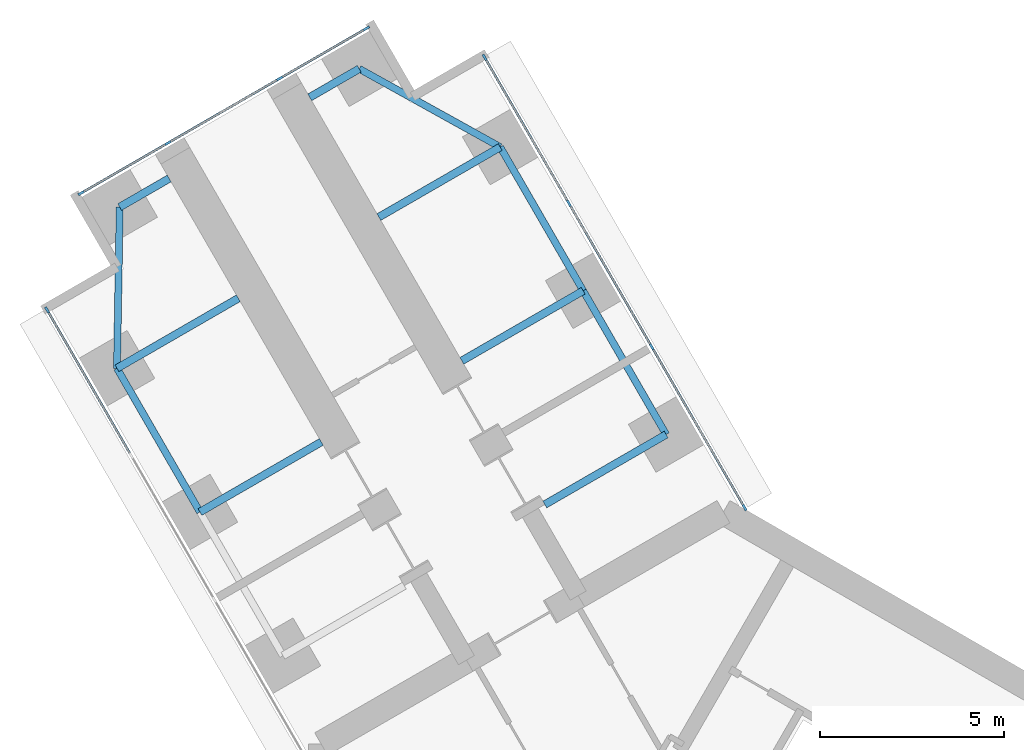
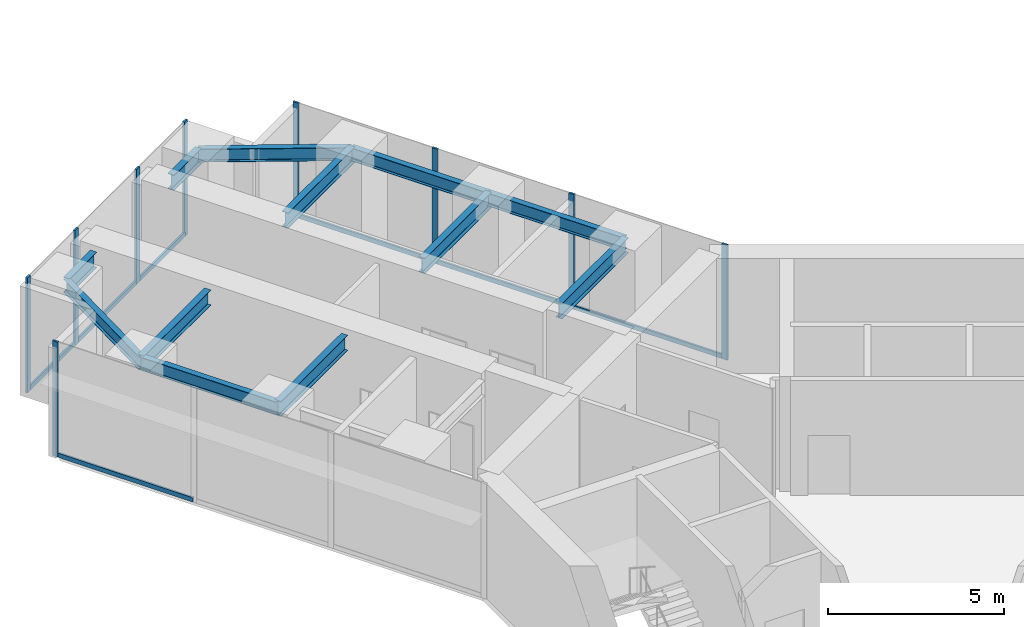
# One storey, part 7 of 23: 16 members, 12 beams, 3 elements without a shape of their own.
"""IFC4 building model written with IfcOpenShell, lengths in metres."""

import ifcopenshell
import ifcopenshell.guid

model = None  # the IFC model being written
_history = None  # IfcOwnerHistory: only IFC2X3 demands one
_inside = {}  # id of a spatial element -> (the spatial element, [elements in it])
_under = {}  # id of a project, library or spatial element -> (it, [spatial elements below it])
_declared = {}  # id of a project -> (the project, [libraries it declares])
_typed = {}  # id of a type object -> (the type object, [elements of that type])
_made_of = {}  # id of a material, layer set ... -> (it, [elements and type objects made of it])


def new_model(schema):
    """Start an empty IFC model of exactly this schema.

    Asked for "IFC4X3", IfcOpenShell would pick the latest addendum, in which some entities
    have other attributes; the version numbers below select the first issue.
    IFC2X3 requires an IfcOwnerHistory on every rooted entity: one is made here for all.
    """
    global model, _history
    if schema == "IFC4X3":
        model = ifcopenshell.file(schema_version=(4, 3, 0, 0))
    else:
        model = ifcopenshell.file(schema=schema)
    _inside.clear()
    _under.clear()
    _declared.clear()
    _typed.clear()
    _made_of.clear()
    _history = None
    if model.schema == "IFC2X3":
        org = make("IfcOrganization", Name="unknown")
        user = make(
            "IfcPersonAndOrganization",
            ThePerson=make("IfcPerson", FamilyName="unknown"),
            TheOrganization=org,
        )
        app = make(
            "IfcApplication",
            ApplicationDeveloper=org,
            Version="unknown",
            ApplicationFullName="unknown",
            ApplicationIdentifier="unknown",
        )
        _history = make(
            "IfcOwnerHistory",
            OwningUser=user,
            OwningApplication=app,
            ChangeAction="ADDED",
            CreationDate=0,
        )
    return model


def make(cls, **values):
    """One entity of the class cls with the attributes given. An attribute that is None is left unset."""
    return model.create_entity(
        cls, **{name: value for name, value in values.items() if value is not None}
    )


def rooted(cls, **values):
    """An entity with a GlobalId (a new one), such as an element, a storey or a relation."""
    return make(cls, GlobalId=ifcopenshell.guid.new(), OwnerHistory=_history, **values)


def si_unit(unit_type, name, prefix=None):
    """IfcSIUnit, for example si_unit("LENGTHUNIT", "METRE", prefix="MILLI")."""
    return make("IfcSIUnit", UnitType=unit_type, Prefix=prefix, Name=name)


def assignment(units):
    """IfcUnitAssignment: the units of a project."""
    return None if units is None else make("IfcUnitAssignment", Units=units)


def point(xyz):
    """IfcCartesianPoint."""
    return None if xyz is None else make("IfcCartesianPoint", Coordinates=xyz)


def direction(xyz):
    """IfcDirection."""
    return None if xyz is None else make("IfcDirection", DirectionRatios=xyz)


def frame(location, z_axis=None, x_axis=None):
    """IfcAxis2Placement3D, a coordinate frame: its origin and axes. An axis left out is left unset."""
    return make(
        "IfcAxis2Placement3D",
        Location=point(location),
        Axis=direction(z_axis),
        RefDirection=direction(x_axis),
    )


def frame_2d(location, x_axis=None):
    """IfcAxis2Placement2D, a coordinate frame in the plane: its origin and x axis."""
    return make(
        "IfcAxis2Placement2D", Location=point(location), RefDirection=direction(x_axis)
    )


def origin():
    """The frame at (0, 0, 0) with its axes left unset."""
    return frame((0.0, 0.0, 0.0))


def origin_2d():
    """The frame at (0, 0) in the plane with its x axis left unset."""
    return frame_2d((0.0, 0.0))


def place(relative_to, where):
    """IfcLocalPlacement: puts the frame where relative to a parent placement (None: the world)."""
    return make(
        "IfcLocalPlacement", PlacementRelTo=relative_to, RelativePlacement=where
    )


def context(
    kind, dimensions, precision=None, world=None, true_north=None, identifier=None
):
    """IfcGeometricRepresentationContext, for example the 3D "Model" context."""
    return make(
        "IfcGeometricRepresentationContext",
        ContextIdentifier=identifier,
        ContextType=kind,
        CoordinateSpaceDimension=dimensions,
        Precision=precision,
        WorldCoordinateSystem=world,
        TrueNorth=true_north,
    )


def subcontext(parent, identifier, kind, view, scale=None):
    """IfcGeometricRepresentationSubContext, for example "Body" below "Model"."""
    return make(
        "IfcGeometricRepresentationSubContext",
        ContextIdentifier=identifier,
        ContextType=kind,
        ParentContext=parent,
        TargetScale=scale,
        TargetView=view,
    )


def project(units=None, contexts=None):
    """IfcProject with its units and contexts."""
    return rooted(
        "IfcProject",
        Name="project",
        RepresentationContexts=contexts,
        UnitsInContext=assignment(units),
    )


def spatial(cls, under=None, at=None, **own):
    """A site, building, storey or space (cls), placed at a placement, below another one or the project."""
    s = rooted(cls, ObjectPlacement=at, **own)
    if under is not None:
        _under.setdefault(under.id(), (under, []))[1].append(s)
    return s


def profile(cls, at=None, kind="AREA", **sizes):
    """A parametric profile (cls). Its sizes go by their IFC names, for example OverallWidth=200.0."""
    return make(cls, ProfileType=kind, Position=at, **sizes)


def rectangle(**sizes):
    """IfcRectangleProfileDef."""
    return profile("IfcRectangleProfileDef", **sizes)


def i_section(**sizes):
    """IfcIShapeProfileDef."""
    return profile("IfcIShapeProfileDef", **sizes)


def extrude(swept, where, along, depth):
    """IfcExtrudedAreaSolid: the profile swept, set in the frame where, extruded along a direction by depth."""
    return make(
        "IfcExtrudedAreaSolid",
        SweptArea=swept,
        Position=where,
        ExtrudedDirection=direction(along),
        Depth=depth,
    )


def shape(context_of_items, identifier, shape_type, items):
    """IfcShapeRepresentation: the items that make up one representation, for example the "Body"."""
    return make(
        "IfcShapeRepresentation",
        ContextOfItems=context_of_items,
        RepresentationIdentifier=identifier,
        RepresentationType=shape_type,
        Items=items,
    )


def material(Name=None, Category=None):
    """IfcMaterial."""
    return make("IfcMaterial", Name=Name, Category=Category)


def material_profile(
    of_material, cross_section, Name=None, Category=None, Priority=None
):
    """IfcMaterialProfile: a cross section and its material."""
    return make(
        "IfcMaterialProfile",
        Name=Name,
        Material=of_material,
        Profile=cross_section,
        Priority=Priority,
        Category=Category,
    )


def profile_set(profiles, Name=None, composite=None):
    """IfcMaterialProfileSet."""
    return make(
        "IfcMaterialProfileSet",
        Name=Name,
        MaterialProfiles=profiles,
        CompositeProfile=composite,
    )


def made_of(thing, what):
    """Note that an element or type object is made of a material, layer set ...; save() writes the relation."""
    if what is not None:
        _made_of.setdefault(what.id(), (what, []))[1].append(thing)
    return thing


def type_object(cls, material=None, **own):
    """A type object (cls), such as IfcWallType, which elements share."""
    return made_of(rooted(cls, **own), material)


def element(
    cls,
    number,
    at=None,
    inside=None,
    cuts=None,
    type_object=None,
    material=None,
    context=None,
    identifier="Body",
    shape_type=None,
    held_by="IfcProductDefinitionShape",
    body=None,
    shapes=None,
    **own,
):
    """One element of the class cls, such as IfcWall. Its Tag is "e" and its number.

    at: its placement. inside: the storey or other place that contains it. cuts: it is an
    opening in that element (IfcRelVoidsElement). A single representation is given by context,
    identifier, shape_type and body (its items); several are given by shapes. held_by: the class
    of the entity that holds the representations. save() writes the other relations.
    """
    e = rooted(cls, Tag="e%d" % number, ObjectPlacement=at, **own)
    if body is not None:
        shapes = [shape(context, identifier, shape_type, body)]
    if shapes is not None:
        e.Representation = make(held_by, Representations=shapes)
    if inside is not None:
        _inside.setdefault(inside.id(), (inside, []))[1].append(e)
    if cuts is not None:
        rooted(
            "IfcRelVoidsElement", RelatingBuildingElement=cuts, RelatedOpeningElement=e
        )
    if type_object is not None:
        _typed.setdefault(type_object.id(), (type_object, []))[1].append(e)
    return made_of(e, material)


def aggregate(whole, parts):
    """IfcRelAggregates: a whole, such as a stair, and the parts it consists of."""
    return rooted("IfcRelAggregates", RelatingObject=whole, RelatedObjects=parts)


def save(model, path):
    """Write the relations noted so far, then the file.

    IfcRelAggregates (storeys below a building ...), IfcRelContainedInSpatialStructure (elements
    in a storey), IfcRelDefinesByType, IfcRelAssociatesMaterial and IfcRelDeclares: one each for
    every whole, place, type object, material and project.
    """
    for whole, parts in _under.values():
        aggregate(whole, parts)
    for where, things in _inside.values():
        rooted(
            "IfcRelContainedInSpatialStructure",
            RelatedElements=things,
            RelatingStructure=where,
        )
    for kind, things in _typed.values():
        rooted("IfcRelDefinesByType", RelatedObjects=things, RelatingType=kind)
    for what, things in _made_of.values():
        rooted("IfcRelAssociatesMaterial", RelatedObjects=things, RelatingMaterial=what)
    for by, libraries in _declared.values():
        rooted("IfcRelDeclares", RelatingContext=by, RelatedDefinitions=libraries)
    model.write(path)


model = new_model("IFC4")

# Units and contexts
model_context = context("Model", 3, precision=1e-05, world=origin(), true_north=direction((0.0, 1.0)))
body_context = subcontext(model_context, "Body", "Model", "MODEL_VIEW")
ifc_project = project(units=[si_unit("LENGTHUNIT", "METRE"), si_unit("AREAUNIT", "SQUARE_METRE"), si_unit("VOLUMEUNIT", "CUBIC_METRE"), si_unit("PLANEANGLEUNIT", "RADIAN"), si_unit("MASSUNIT", "GRAM", prefix="KILO")], contexts=[model_context])

# Site, building, storey
site_placement = place(None, origin())
site = spatial("IfcSite", under=ifc_project, at=site_placement, CompositionType="ELEMENT")
building_placement = place(site_placement, origin())
building = spatial("IfcBuilding", under=site, at=building_placement, Name="Upepo Twin Towers", CompositionType="ELEMENT")
storey_placement = place(building_placement, frame((0.0, 0.0, 28.5)))
storey = spatial("IfcBuildingStorey", under=building, at=storey_placement, Name="L06", CompositionType="ELEMENT", Elevation=28.5)

# Beams
ifc_material_1 = material(Name="Steel S355", Category="steel")
ifc_material_profile_1 = material_profile(ifc_material_1, i_section(OverallWidth=0.1904296875, OverallDepth=0.45703125, WebThickness=0.009033203125, FlangeThickness=0.014404296875, FilletRadius=0.01025390625, at=origin_2d()), Name="UB 457x191x74")
ifc_profile_set_1 = profile_set([ifc_material_profile_1], Name="Steel S355")
beam_type_1 = type_object("IfcBeamType", Name="Beam UB 457x191x74", PredefinedType="BEAM", material=ifc_profile_set_1)
beam_1_placement = place(storey_placement, frame((-14.196044921875, 12.58837890625, 3.571533203125), z_axis=(-0.499990139034, 0.866031096941, 0.0), x_axis=(-0.866031096941, -0.499990139034, 0.0)))
element("IfcBeam", 1, at=beam_1_placement, inside=storey, type_object=beam_type_1, Name="T1 edge beam BL 18.0-22.5", PredefinedType="BEAM", context=body_context, shape_type="SweptSolid", body=[
    extrude(i_section(OverallWidth=0.1904296875, OverallDepth=0.45703125, WebThickness=0.009033203125, FlangeThickness=0.014404296875, FilletRadius=0.01025390625, at=origin_2d()), origin(), (0.0, 0.0, 1.0), 4.5),
])
beam_2_placement = place(storey_placement, frame((-16.446044921875, 16.485595703125, 3.571533203125), z_axis=(0.016803880528, 0.999858804832, 0.0), x_axis=(-0.999858804832, 0.016803880528, 0.0)))
element("IfcBeam", 2, at=beam_2_placement, inside=storey, type_object=beam_type_1, Name="T1 nose edge beam BL", PredefinedType="BEAM", context=body_context, shape_type="SweptSolid", body=[
    extrude(i_section(OverallWidth=0.1904296875, OverallDepth=0.45703125, WebThickness=0.009033203125, FlangeThickness=0.014404296875, FilletRadius=0.01025390625, at=origin_2d()), origin(), (0.0, 0.0, 1.0), 4.373291015625),
])
beam_3_placement = place(storey_placement, frame((-1.553955078125, 14.69140625, 3.571533203125), z_axis=(-0.500013631625, 0.866017533419, 0.0), x_axis=(-0.866017533419, -0.500013631625, 0.0)))
element("IfcBeam", 3, at=beam_3_placement, inside=storey, type_object=beam_type_1, Name="T1 edge beam BR 13.5-18.0", PredefinedType="BEAM", context=body_context, shape_type="SweptSolid", body=[
    extrude(i_section(OverallWidth=0.1904296875, OverallDepth=0.45703125, WebThickness=0.009033203125, FlangeThickness=0.014404296875, FilletRadius=0.01025390625, at=origin_2d()), origin(), (0.0, 0.0, 1.0), 4.499755859375),
])
beam_4_placement = place(storey_placement, frame((-3.803955078125, 18.58837890625, 3.571533203125), z_axis=(-0.499990139034, 0.866031096941, 0.0), x_axis=(-0.866031096941, -0.499990139034, 0.0)))
element("IfcBeam", 4, at=beam_4_placement, inside=storey, type_object=beam_type_1, Name="T1 edge beam BR 18.0-22.5", PredefinedType="BEAM", context=body_context, shape_type="SweptSolid", body=[
    extrude(i_section(OverallWidth=0.1904296875, OverallDepth=0.45703125, WebThickness=0.009033203125, FlangeThickness=0.014404296875, FilletRadius=0.01025390625, at=origin_2d()), origin(), (0.0, 0.0, 1.0), 4.5),
])
beam_5_placement = place(storey_placement, frame((-6.053955078125, 22.485595703125, 3.571533203125), z_axis=(-0.874312600038, 0.485363242752, 0.0), x_axis=(-0.485363242752, -0.874312600038, 0.0)))
element("IfcBeam", 5, at=beam_5_placement, inside=storey, type_object=beam_type_1, Name="T1 nose edge beam BR", PredefinedType="BEAM", context=body_context, shape_type="SweptSolid", body=[
    extrude(i_section(OverallWidth=0.1904296875, OverallDepth=0.45703125, WebThickness=0.009033203125, FlangeThickness=0.014404296875, FilletRadius=0.01025390625, at=origin_2d()), origin(), (0.0, 0.0, 1.0), 4.373046875),
])
ifc_material_2 = material(Name="Steel S355", Category="steel")
ifc_material_profile_2 = material_profile(ifc_material_2, i_section(OverallWidth=0.2099609375, OverallDepth=0.53662109375, WebThickness=0.0107421875, FlangeThickness=0.017333984375, FilletRadius=0.0126953125, at=origin_2d()), Name="UB 533x210x101")
ifc_profile_set_2 = profile_set([ifc_material_profile_2], Name="Steel S355")
beam_type_2 = type_object("IfcBeamType", Name="Beam UB 533x210x101", PredefinedType="BEAM", material=ifc_profile_set_2)
for number, where, z_axis, x_axis, name in (
    (6, (-16.37255859375, 20.858154296875, 3.53173828125), (0.866043940782, 0.499967891604, 0.0), (-0.499967891604, 0.866043940782, 0.0), "T1 nose beam BL"),
    (7, (-9.87744140625, 24.608154296875, 3.53173828125), (-0.866043940782, -0.499967891604, 0.0), (0.499967891604, -0.866043940782, 0.0), "T1 nose beam BR"),
):
    element("IfcBeam", number, at=place(storey_placement, frame(where, z_axis=z_axis, x_axis=x_axis)), inside=storey, type_object=beam_type_2, Name=name, PredefinedType="BEAM", context=body_context, shape_type="SweptSolid", body=[
        extrude(i_section(OverallWidth=0.2099609375, OverallDepth=0.53662109375, WebThickness=0.0107421875, FlangeThickness=0.017333984375, FilletRadius=0.0126953125, at=origin_2d()), origin(), (0.0, 0.0, 1.0), 1.5498046875),
    ])
ifc_material_3 = material(Name="Steel S355", Category="steel")
ifc_material_profile_3 = material_profile(ifc_material_3, i_section(OverallWidth=0.209228515625, OverallDepth=0.533203125, WebThickness=0.010009765625, FlangeThickness=0.015625, FilletRadius=0.0126953125, at=origin_2d()), Name="UB 533x210x92")
ifc_profile_set_3 = profile_set([ifc_material_profile_3], Name="Steel S355")
beam_type_3 = type_object("IfcBeamType", Name="Beam UB 533x210x92", PredefinedType="BEAM", material=ifc_profile_set_3)
beam_6_placement = place(storey_placement, frame((-14.196044921875, 12.58837890625, 3.533447265625), z_axis=(0.866000483506, 0.500043160704, 0.0), x_axis=(-0.500043160704, 0.866000483506, 0.0)))
element("IfcBeam", 8, at=beam_6_placement, inside=storey, type_object=beam_type_3, Name="T1 girder BL at 18.0", PredefinedType="BEAM", context=body_context, shape_type="SweptSolid", body=[
    extrude(i_section(OverallWidth=0.209228515625, OverallDepth=0.533203125, WebThickness=0.010009765625, FlangeThickness=0.015625, FilletRadius=0.0126953125, at=origin_2d()), origin(), (0.0, 0.0, 1.0), 3.800048828125),
])
beam_7_placement = place(storey_placement, frame((-16.446044921875, 16.485595703125, 3.533447265625), z_axis=(0.866028304915, 0.499994975061, 0.0), x_axis=(-0.499994975061, 0.866028304915, 0.0)))
element("IfcBeam", 9, at=beam_7_placement, inside=storey, type_object=beam_type_3, Name="T1 girder BL at 22.5", PredefinedType="BEAM", context=body_context, shape_type="SweptSolid", body=[
    extrude(i_section(OverallWidth=0.209228515625, OverallDepth=0.533203125, WebThickness=0.010009765625, FlangeThickness=0.015625, FilletRadius=0.0126953125, at=origin_2d()), origin(), (0.0, 0.0, 1.0), 3.7998046875),
])
beam_8_placement = place(storey_placement, frame((-1.553955078125, 14.69140625, 3.533447265625), z_axis=(-0.866000483506, -0.500043160704, 0.0), x_axis=(0.500043160704, -0.866000483506, 0.0)))
element("IfcBeam", 10, at=beam_8_placement, inside=storey, type_object=beam_type_3, Name="T1 girder BR at 13.5", PredefinedType="BEAM", context=body_context, shape_type="SweptSolid", body=[
    extrude(i_section(OverallWidth=0.209228515625, OverallDepth=0.533203125, WebThickness=0.010009765625, FlangeThickness=0.015625, FilletRadius=0.0126953125, at=origin_2d()), origin(), (0.0, 0.0, 1.0), 3.800048828125),
])
for number, where, z_axis, x_axis, name in (
    (11, (-3.803955078125, 18.58837890625, 3.533447265625), (-0.866028304915, -0.499994975061, 0.0), (0.499994975061, -0.866028304915, 0.0), "T1 girder BR at 18.0"),
    (12, (-6.053955078125, 22.485595703125, 3.533447265625), (-0.866028304915, -0.499994975061, 0.0), (0.499994975061, -0.866028304915, 0.0), "T1 girder BR at 22.5"),
):
    element("IfcBeam", number, at=place(storey_placement, frame(where, z_axis=z_axis, x_axis=x_axis)), inside=storey, type_object=beam_type_3, Name=name, PredefinedType="BEAM", context=body_context, shape_type="SweptSolid", body=[
        extrude(i_section(OverallWidth=0.209228515625, OverallDepth=0.533203125, WebThickness=0.010009765625, FlangeThickness=0.015625, FilletRadius=0.0126953125, at=origin_2d()), origin(), (0.0, 0.0, 1.0), 3.7998046875),
    ])

# Curtain wall, member
ifc_material_4 = material(Name="Aluminium and fritted glass", Category="aluminium")
curtain_wall_type = type_object("IfcCurtainWallType", Name="Tower curtain wall TW1, fritted glass", PredefinedType="NOTDEFINED", material=ifc_material_4)
curtain_wall_1_placement = place(storey_placement, origin())
curtain_wall_1 = element("IfcCurtainWall", 13, at=curtain_wall_1_placement, inside=storey, type_object=curtain_wall_type, Name="T1 L06 wing B flank L curtain wall", PredefinedType="NOTDEFINED")
ifc_material_5 = material(Name="Aluminium mullion", Category="aluminium")
ifc_material_profile_4 = material_profile(ifc_material_5, rectangle(XDim=0.06494140625, YDim=0.179931640625, at=origin_2d()), Name="MULLION 65x180")
ifc_profile_set_4 = profile_set([ifc_material_profile_4], Name="Aluminium mullion")
member_type_1 = type_object("IfcMemberType", Name="Mullion 65x180 TW1", PredefinedType="MULLION", material=ifc_profile_set_4)
member_1_placement = place(storey_placement, frame((-18.341064453125, 18.067626953125, 0.0), z_axis=(0.0, 0.0, 1.0), x_axis=(-0.866025389682, -0.500000024426, 0.0)))
member_1 = element("IfcMember", 14, at=member_1_placement, type_object=member_type_1, Name="T1 L06 wing B flank L curtain wall mullion 4", PredefinedType="MULLION", context=body_context, shape_type="SweptSolid", body=[
    extrude(rectangle(XDim=0.06494140625, YDim=0.179931640625, at=origin_2d()), origin(), (0.0, 0.0, 1.0), 4.0),
])

# Curtain wall, members
curtain_wall_2_placement = place(storey_placement, origin())
curtain_wall_2 = element("IfcCurtainWall", 15, at=curtain_wall_2_placement, inside=storey, type_object=curtain_wall_type, Name="T1 L06 wing B flank R curtain wall", PredefinedType="NOTDEFINED")
member_2_placement = place(storey_placement, frame((-6.4765625, 24.91748046875, 0.0), z_axis=(0.0, 0.0, 1.0), x_axis=(0.866025389682, 0.500000024426, 0.0)))
member_2 = element("IfcMember", 16, at=member_2_placement, type_object=member_type_1, Name="T1 L06 wing B flank R curtain wall mullion 1", PredefinedType="MULLION", context=body_context, shape_type="SweptSolid", body=[
    extrude(rectangle(XDim=0.06494140625, YDim=0.179931640625, at=origin_2d()), origin(), (0.0, 0.0, 1.0), 4.0),
])
member_3_placement = place(storey_placement, frame((-4.192626953125, 20.9619140625, 0.0), z_axis=(0.0, 0.0, 1.0), x_axis=(0.866025389682, 0.500000024426, 0.0)))
member_3 = element("IfcMember", 17, at=member_3_placement, type_object=member_type_1, Name="T1 L06 wing B flank R curtain wall mullion 2", PredefinedType="MULLION", context=body_context, shape_type="SweptSolid", body=[
    extrude(rectangle(XDim=0.06494140625, YDim=0.179931640625, at=origin_2d()), origin(), (0.0, 0.0, 1.0), 4.0),
])
member_4_placement = place(storey_placement, frame((-1.942626953125, 17.06494140625, 0.0), z_axis=(0.0, 0.0, 1.0), x_axis=(0.866025389682, 0.500000024426, 0.0)))
member_4 = element("IfcMember", 18, at=member_4_placement, type_object=member_type_1, Name="T1 L06 wing B flank R curtain wall mullion 3", PredefinedType="MULLION", context=body_context, shape_type="SweptSolid", body=[
    extrude(rectangle(XDim=0.06494140625, YDim=0.179931640625, at=origin_2d()), origin(), (0.0, 0.0, 1.0), 4.0),
])
member_5_placement = place(storey_placement, frame((0.572509765625, 12.70849609375, 0.0), z_axis=(0.0, 0.0, 1.0), x_axis=(0.866025389682, 0.500000024426, 0.0)))
member_5 = element("IfcMember", 19, at=member_5_placement, type_object=member_type_1, Name="T1 L06 wing B flank R curtain wall mullion 4", PredefinedType="MULLION", context=body_context, shape_type="SweptSolid", body=[
    extrude(rectangle(XDim=0.06494140625, YDim=0.179931640625, at=origin_2d()), origin(), (0.0, 0.0, 1.0), 4.0),
])

curtain_wall_3_placement = place(storey_placement, origin())
curtain_wall_3 = element("IfcCurtainWall", 20, at=curtain_wall_3_placement, inside=storey, type_object=curtain_wall_type, Name="T1 L06 wing B nose curtain wall", PredefinedType="NOTDEFINED")
member_6_placement = place(storey_placement, frame((-9.68115234375, 25.703125, 0.0), z_axis=(0.0, 0.0, 1.0), x_axis=(0.500000030502, -0.866025386174, 0.0)))
member_6 = element("IfcMember", 21, at=member_6_placement, type_object=member_type_1, Name="T1 L06 wing B nose curtain wall mullion 1", PredefinedType="MULLION", context=body_context, shape_type="SweptSolid", body=[
    extrude(rectangle(XDim=0.06494140625, YDim=0.179931640625, at=origin_2d()), origin(), (0.0, 0.0, 1.0), 4.0),
])
member_7_placement = place(storey_placement, frame((-12.034423828125, 24.34423828125, 0.0), z_axis=(0.0, 0.0, 1.0), x_axis=(0.500000030502, -0.866025386174, 0.0)))
member_7 = element("IfcMember", 22, at=member_7_placement, type_object=member_type_1, Name="T1 L06 wing B nose curtain wall mullion 2", PredefinedType="MULLION", context=body_context, shape_type="SweptSolid", body=[
    extrude(rectangle(XDim=0.06494140625, YDim=0.179931640625, at=origin_2d()), origin(), (0.0, 0.0, 1.0), 4.0),
])
member_8_placement = place(storey_placement, frame((-15.0654296875, 22.59423828125, 0.0), z_axis=(0.0, 0.0, 1.0), x_axis=(0.500000030502, -0.866025386174, 0.0)))
member_8 = element("IfcMember", 23, at=member_8_placement, type_object=member_type_1, Name="T1 L06 wing B nose curtain wall mullion 3", PredefinedType="MULLION", context=body_context, shape_type="SweptSolid", body=[
    extrude(rectangle(XDim=0.06494140625, YDim=0.179931640625, at=origin_2d()), origin(), (0.0, 0.0, 1.0), 4.0),
])
member_9_placement = place(storey_placement, frame((-17.4189453125, 21.235595703125, 0.0), z_axis=(0.0, 0.0, 1.0), x_axis=(0.500000030502, -0.866025386174, 0.0)))
member_9 = element("IfcMember", 24, at=member_9_placement, type_object=member_type_1, Name="T1 L06 wing B nose curtain wall mullion 4", PredefinedType="MULLION", context=body_context, shape_type="SweptSolid", body=[
    extrude(rectangle(XDim=0.06494140625, YDim=0.179931640625, at=origin_2d()), origin(), (0.0, 0.0, 1.0), 4.0),
])

# Member
ifc_material_6 = material(Name="Aluminium transom", Category="aluminium")
ifc_material_profile_5 = material_profile(ifc_material_6, rectangle(XDim=0.06494140625, YDim=0.14990234375, at=origin_2d()), Name="TRANSOM 65x150")
ifc_profile_set_5 = profile_set([ifc_material_profile_5], Name="Aluminium transom")
member_type_2 = type_object("IfcMemberType", Name="Transom 65x150 TW1", PredefinedType="USERDEFINED", material=ifc_profile_set_5)
member_10_placement = place(storey_placement, frame((-16.073486328125, 14.14013671875, 0.074951171875), z_axis=(-0.499982167615, 0.866035699072, 0.0), x_axis=(-0.866035699072, -0.499982167615, 0.0)))
member_10 = element("IfcMember", 25, at=member_10_placement, type_object=member_type_2, Name="T1 L06 wing B flank L curtain wall transom 3", ObjectType="TRANSOM", PredefinedType="USERDEFINED", context=body_context, shape_type="SweptSolid", body=[
    extrude(rectangle(XDim=0.06494140625, YDim=0.14990234375, at=origin_2d()), origin(), (0.0, 0.0, 1.0), 4.502685546875),
])

aggregate(curtain_wall_1, [member_1, member_10])

member_11_placement = place(storey_placement, frame((-6.460205078125, 24.889404296875, 0.074951171875), z_axis=(0.500005646842, -0.866022143554, 0.0), x_axis=(0.866022143554, 0.500005646842, 0.0)))
member_11 = element("IfcMember", 26, at=member_11_placement, type_object=member_type_2, Name="T1 L06 wing B flank R curtain wall transom 1", ObjectType="TRANSOM", PredefinedType="USERDEFINED", context=body_context, shape_type="SweptSolid", body=[
    extrude(rectangle(XDim=0.06494140625, YDim=0.14990234375, at=origin_2d()), origin(), (0.0, 0.0, 1.0), 4.50244140625),
])

member_12_placement = place(storey_placement, frame((-4.176513671875, 20.933837890625, 0.074951171875), z_axis=(0.500005184116, -0.866022410713, 0.0), x_axis=(0.866022410713, 0.500005184116, 0.0)))
member_12 = element("IfcMember", 27, at=member_12_placement, type_object=member_type_2, Name="T1 L06 wing B flank R curtain wall transom 2", ObjectType="TRANSOM", PredefinedType="USERDEFINED", context=body_context, shape_type="SweptSolid", body=[
    extrude(rectangle(XDim=0.06494140625, YDim=0.14990234375, at=origin_2d()), origin(), (0.0, 0.0, 1.0), 4.43505859375),
])

member_13_placement = place(storey_placement, frame((-1.926513671875, 17.036865234375, 0.074951171875), z_axis=(0.499983492876, -0.866034933967, 0.0), x_axis=(0.866034933967, 0.499983492876, 0.0)))
member_13 = element("IfcMember", 28, at=member_13_placement, type_object=member_type_2, Name="T1 L06 wing B flank R curtain wall transom 3", ObjectType="TRANSOM", PredefinedType="USERDEFINED", context=body_context, shape_type="SweptSolid", body=[
    extrude(rectangle(XDim=0.06494140625, YDim=0.14990234375, at=origin_2d()), origin(), (0.0, 0.0, 1.0), 4.965576171875),
])

aggregate(curtain_wall_2, [member_2, member_3, member_4, member_5, member_11, member_12, member_13])

member_14_placement = place(storey_placement, frame((-9.709228515625, 25.686767578125, 0.074951171875), z_axis=(-0.866036909293, -0.499980071345, 0.0), x_axis=(0.499980071345, -0.866036909293, 0.0)))
member_14 = element("IfcMember", 29, at=member_14_placement, type_object=member_type_2, Name="T1 L06 wing B nose curtain wall transom 1", ObjectType="TRANSOM", PredefinedType="USERDEFINED", context=body_context, shape_type="SweptSolid", body=[
    extrude(rectangle(XDim=0.06494140625, YDim=0.14990234375, at=origin_2d()), origin(), (0.0, 0.0, 1.0), 2.65234375),
])

member_15_placement = place(storey_placement, frame((-12.0625, 24.328125, 0.074951171875), z_axis=(-0.866025804792, -0.499999305434, 0.0), x_axis=(0.499999305434, -0.866025804792, 0.0)))
member_15 = element("IfcMember", 30, at=member_15_placement, type_object=member_type_2, Name="T1 L06 wing B nose curtain wall transom 2", ObjectType="TRANSOM", PredefinedType="USERDEFINED", context=body_context, shape_type="SweptSolid", body=[
    extrude(rectangle(XDim=0.06494140625, YDim=0.14990234375, at=origin_2d()), origin(), (0.0, 0.0, 1.0), 3.43505859375),
])

member_16_placement = place(storey_placement, frame((-15.09375, 22.578125, 0.074951171875), z_axis=(-0.865997053448, -0.500049101008, 0.0), x_axis=(0.500049101008, -0.865997053448, 0.0)))
member_16 = element("IfcMember", 31, at=member_16_placement, type_object=member_type_2, Name="T1 L06 wing B nose curtain wall transom 3", ObjectType="TRANSOM", PredefinedType="USERDEFINED", context=body_context, shape_type="SweptSolid", body=[
    extrude(rectangle(XDim=0.06494140625, YDim=0.14990234375, at=origin_2d()), origin(), (0.0, 0.0, 1.0), 2.652587890625),
])

aggregate(curtain_wall_3, [member_6, member_7, member_8, member_9, member_14, member_15, member_16])

save(model, "model.ifc")
